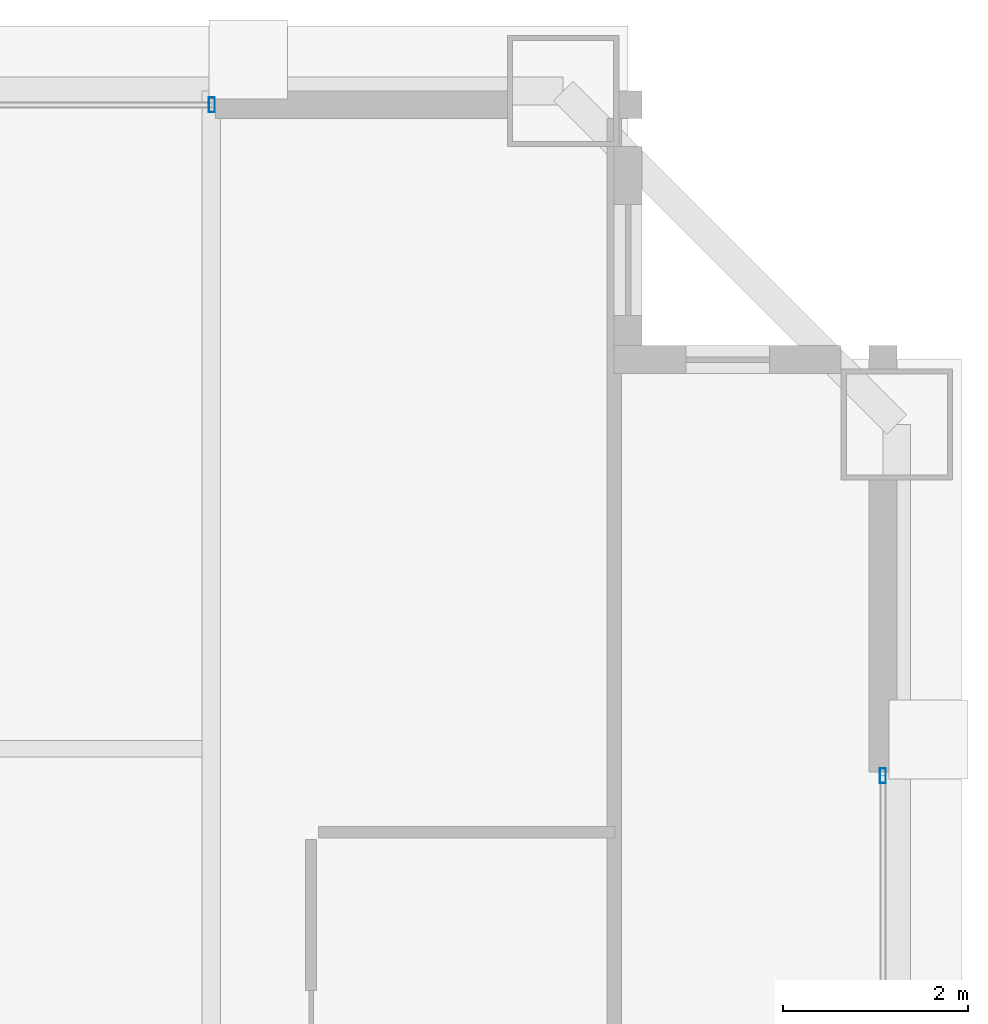
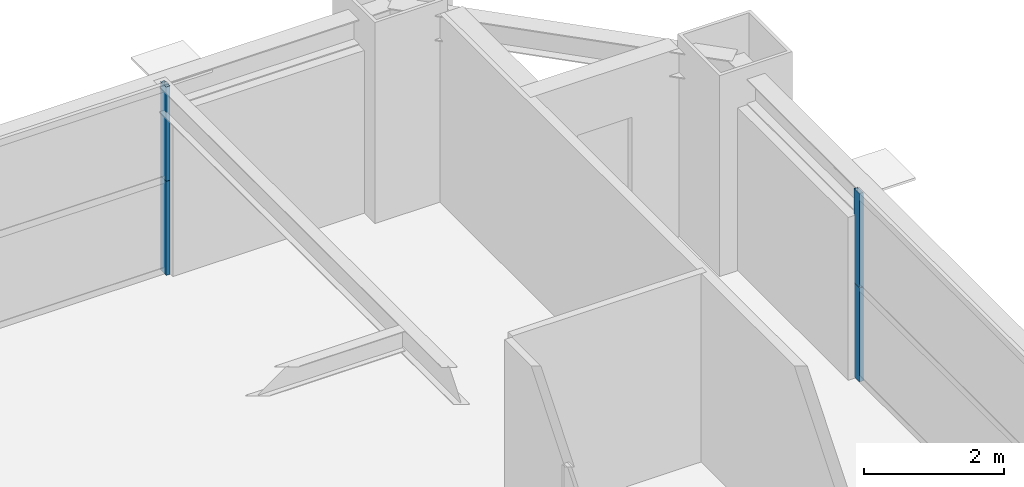
# One storey, part 30 of 36: 4 members, 2 elements without a shape of their own.
"""IFC4 building model written with IfcOpenShell, lengths in metres."""

from ifc_helpers import new_model, si_unit, direction, frame, origin, origin_2d, place, context, subcontext, project, spatial, hollow_rectangle, extrude, source, transform, mapped, material, layer, layer_set, material_profile, profile_set, type_object, element, aggregate, save


model = new_model("IFC4")

# Units and contexts
model_context = context("Model", 3, precision=1e-05, world=origin(), true_north=direction((0.0, 1.0)))
body_context = subcontext(model_context, "Body", "Model", "MODEL_VIEW")
ifc_project = project(units=[si_unit("LENGTHUNIT", "METRE"), si_unit("AREAUNIT", "SQUARE_METRE"), si_unit("VOLUMEUNIT", "CUBIC_METRE"), si_unit("PLANEANGLEUNIT", "RADIAN"), si_unit("MASSUNIT", "GRAM", prefix="KILO"), si_unit("THERMODYNAMICTEMPERATUREUNIT", "KELVIN"), si_unit("POWERUNIT", "WATT")], contexts=[model_context])

# Site, building, storey
site_placement = place(None, origin())
site = spatial("IfcSite", under=ifc_project, at=site_placement, CompositionType="ELEMENT")
building_placement = place(site_placement, origin())
building = spatial("IfcBuilding", under=site, at=building_placement, Name="Yuzanri Waterfront Tower", CompositionType="ELEMENT")
storey_placement = place(building_placement, frame((0.0, 0.0, 224.10009765625)))
storey = spatial("IfcBuildingStorey", under=building, at=storey_placement, Name="L59", CompositionType="ELEMENT", Elevation=224.10009765625)

# Curtain wall, members
ifc_material_1 = material(Name="Anodized Architectural Bronze", Category="metal")
ifc_layer = layer(ifc_material_1, 0.159912109375)
ifc_layer_set = layer_set([ifc_layer], Name="Anodized Architectural Bronze")
curtain_wall_type = type_object("IfcCurtainWallType", Name="Anodized Bronze Mid-Rise Residential Acoustic Unitized Curtain Wall 7200", PredefinedType="NOTDEFINED", material=ifc_layer_set)
curtain_wall_1_placement = place(storey_placement, origin())
curtain_wall_1 = element("IfcCurtainWall", 1, at=curtain_wall_1_placement, inside=storey, type_object=curtain_wall_type, Name="L59 Curtain Wall CW-L59-NR", PredefinedType="NOTDEFINED")
ifc_material_2 = material(Name="Anodized Architectural Bronze", Category="metal")
ifc_material_profile = material_profile(ifc_material_2, hollow_rectangle(XDim=0.06494140625, YDim=0.159912109375, WallThickness=0.00341796875, at=origin_2d()), Name="CWM 65x160")
ifc_profile_set = profile_set([ifc_material_profile], Name="Anodized Architectural Bronze")
member_type = type_object("IfcMemberType", Name="Anodized Bronze Upper-Zone Curtain-Wall Mullion 65x160", PredefinedType="MULLION", material=ifc_profile_set)
shared_shape = source(origin(), body_context, "Body", "SweptSolid", [
    extrude(hollow_rectangle(XDim=0.06494140625, YDim=0.159912109375, WallThickness=0.00341796875, at=origin_2d()), origin(), (0.0, 0.0, 1.0), 1.637939453125),
])
member_1_placement = place(storey_placement, frame((50.2099609375, 46.25, 0.0), z_axis=(0.0, 0.0, 1.0), x_axis=(1.0, 0.0, 0.0)))
member_1 = element("IfcMember", 2, at=member_1_placement, type_object=member_type, Name="CW-L59-NR Lower Mullion 02", PredefinedType="MULLION", context=body_context, shape_type="MappedRepresentation", body=[
    mapped(shared_shape, transform((0.0, 0.0, 0.0), scale=1.0)),
])
member_2_placement = place(storey_placement, frame((50.2099609375, 46.25, 1.641845703125), z_axis=(0.0, 0.0, 1.0), x_axis=(1.0, 0.0, 0.0)))
member_2 = element("IfcMember", 3, at=member_2_placement, type_object=member_type, Name="CW-L59-NR Upper Mullion 02", PredefinedType="MULLION", context=body_context, shape_type="MappedRepresentation", body=[
    mapped(shared_shape, transform((0.0, 0.0, 0.0), scale=1.0)),
])
aggregate(curtain_wall_1, [member_1, member_2])

curtain_wall_2_placement = place(storey_placement, origin())
curtain_wall_2 = element("IfcCurtainWall", 4, at=curtain_wall_2_placement, inside=storey, type_object=curtain_wall_type, Name="L59 Curtain Wall CW-L59-ER", PredefinedType="NOTDEFINED")
member_3_placement = place(storey_placement, frame((57.449951171875, 39.010009765625, 0.0), z_axis=(0.0, 0.0, 1.0), x_axis=(1.0, 0.0, 0.0)))
member_3 = element("IfcMember", 5, at=member_3_placement, type_object=member_type, Name="CW-L59-ER Lower Mullion 02", PredefinedType="MULLION", context=body_context, shape_type="MappedRepresentation", body=[
    mapped(shared_shape, transform((0.0, 0.0, 0.0), scale=1.0)),
])
member_4_placement = place(storey_placement, frame((57.449951171875, 39.010009765625, 1.641845703125), z_axis=(0.0, 0.0, 1.0), x_axis=(1.0, 0.0, 0.0)))
member_4 = element("IfcMember", 6, at=member_4_placement, type_object=member_type, Name="CW-L59-ER Upper Mullion 02", PredefinedType="MULLION", context=body_context, shape_type="MappedRepresentation", body=[
    mapped(shared_shape, transform((0.0, 0.0, 0.0), scale=1.0)),
])
aggregate(curtain_wall_2, [member_3, member_4])

save(model, "model.ifc")
